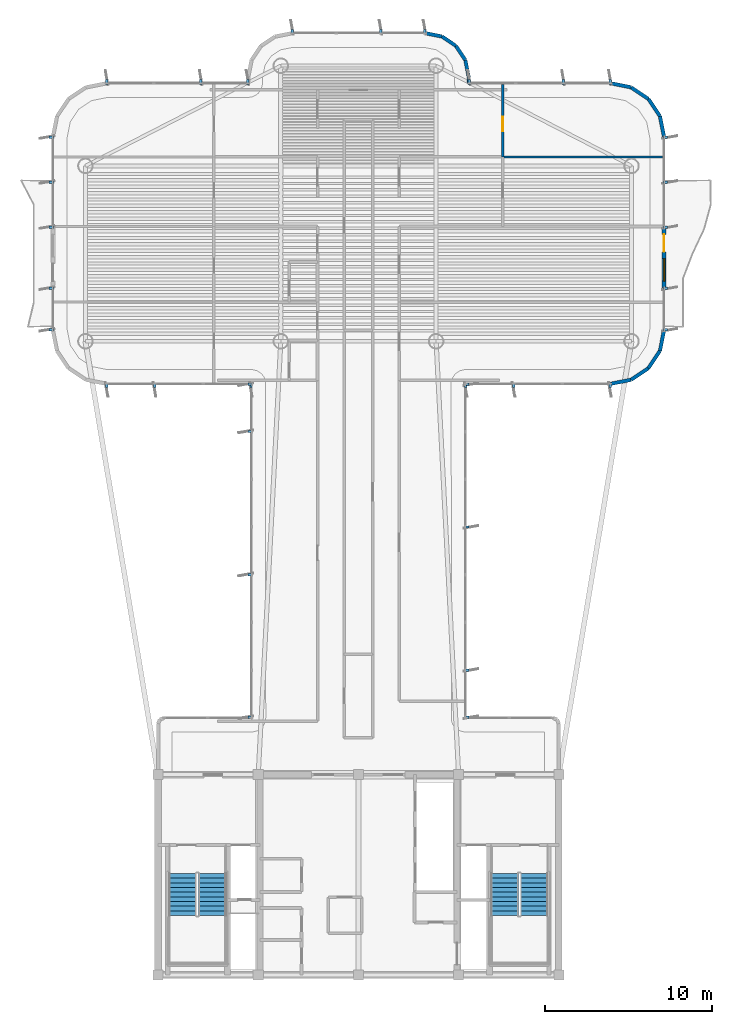
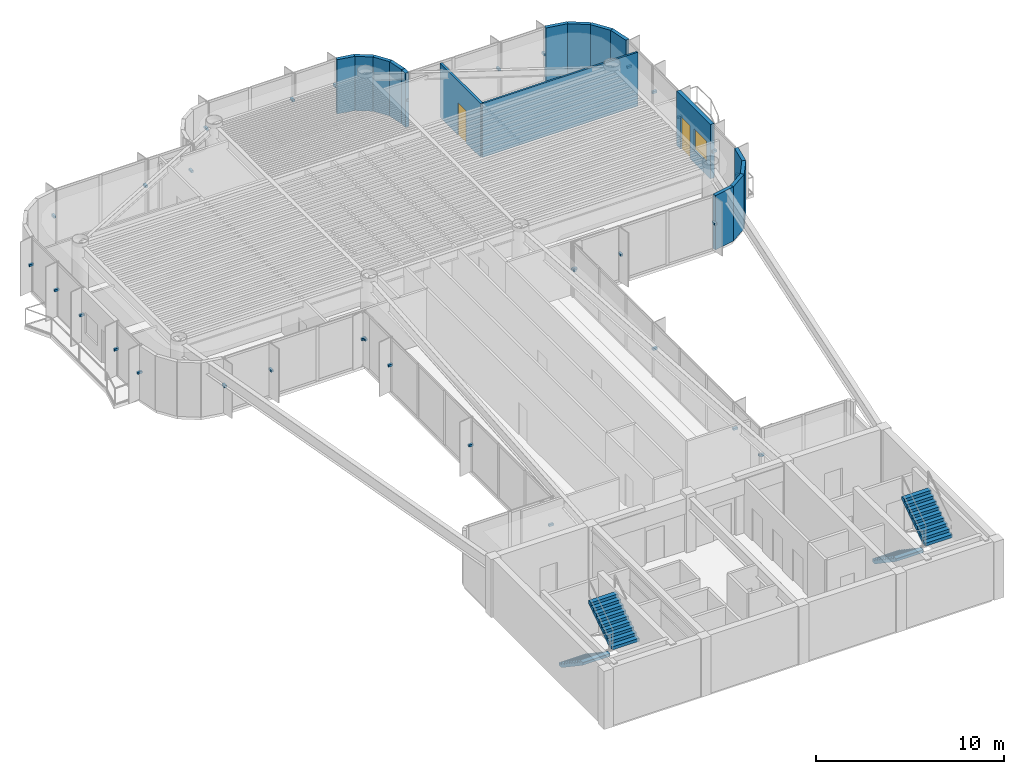
# One storey, part 13 of 15: 33 discrete accessories, 16 walls, 4 stair flights, 2 doors, 1 window, 3 openings, 2 elements without a shape of their own.
"""IFC4 building model written with IfcOpenShell, lengths in metres."""

from ifc_helpers import new_model, si_unit, direction, frame, frame_2d, origin, origin_2d, place, context, subcontext, project, spatial, polyline, rectangle, outline, extrude, source, transform, mapped, material, layer, layer_set, type_object, element, fill, aggregate, save


model = new_model("IFC4")

# Units and contexts
model_context = context("Model", 3, precision=1e-05, world=origin(), true_north=direction((0.0, 1.0)))
body_context = subcontext(model_context, "Body", "Model", "MODEL_VIEW")
ifc_project = project(units=[si_unit("LENGTHUNIT", "METRE"), si_unit("AREAUNIT", "SQUARE_METRE"), si_unit("VOLUMEUNIT", "CUBIC_METRE"), si_unit("PLANEANGLEUNIT", "RADIAN"), si_unit("MASSUNIT", "GRAM", prefix="KILO")], contexts=[model_context])

# Site, building, storey
site_placement = place(None, origin())
site = spatial("IfcSite", under=ifc_project, at=site_placement, CompositionType="ELEMENT")
building_placement = place(site_placement, origin())
building = spatial("IfcBuilding", under=site, at=building_placement, Name="Brelvock Crest Care Tower", CompositionType="ELEMENT")
storey_placement = place(building_placement, frame((0.0, 0.0, 268.3798828125)))
storey = spatial("IfcBuildingStorey", under=building, at=storey_placement, Name="L68", CompositionType="ELEMENT", Elevation=268.3798828125)

# Wall, openings, door, window
ifc_material_1 = material(Name="Precast concrete N40 (40 MPa)", Category="concrete")
ifc_layer_1 = layer(ifc_material_1, 0.239990234375, Name="WL-EX1")
ifc_layer_set_1 = layer_set([ifc_layer_1], Name="Precast concrete N40 (40 MPa)")
wall_type_1 = type_object("IfcWallType", Name="WL-EX1", PredefinedType="SOLIDWALL", material=ifc_layer_set_1)
wall_1_placement = place(storey_placement, frame((54.300048828125, 50.75, 0.0), z_axis=(0.0, 0.0, 1.0), x_axis=(0.0, -1.0, 0.0)))
wall_1 = element("IfcWall", 1, at=wall_1_placement, inside=storey, type_object=wall_type_1, Name="L68 Exterior Spandrel Wall WL-BAL-L68-E", PredefinedType="SOLIDWALL", context=body_context, shape_type="SweptSolid", body=[
    extrude(rectangle(XDim=3.60009765625, YDim=0.239990234375, at=frame_2d((1.800048828125, 0.0))), origin(), (0.0, 0.0, 1.0), 3.530029296875),
])
opening_1_placement = place(wall_1_placement, frame((0.39990234375, 0.0, 0.0)))
opening_1 = element("IfcOpeningElement", 2, at=opening_1_placement, cuts=wall_1, Name="Opening BD-1", PredefinedType="OPENING", context=body_context, shape_type="SweptSolid", body=[
    extrude(rectangle(XDim=1.050048828125, YDim=2.14990234375, at=origin_2d()), frame((0.52490234375, 0.1298828125, 1.074951171875), z_axis=(0.0, -1.0, 0.0), x_axis=(1.0, 0.0, 0.0)), (0.0, 0.0, 1.0), 0.260009765625),
])
opening_2_placement = place(wall_1_placement, frame((1.85009765625, 0.0, 0.85009765625)))
opening_2 = element("IfcOpeningElement", 3, at=opening_2_placement, cuts=wall_1, Name="Opening W-01", PredefinedType="OPENING", context=body_context, shape_type="SweptSolid", body=[
    extrude(rectangle(XDim=1.35009765625, YDim=1.35009765625, at=origin_2d()), frame((0.675048828125, 0.1298828125, 0.675048828125), z_axis=(0.0, -1.0, 0.0), x_axis=(1.0, 0.0, 0.0)), (0.0, 0.0, 1.0), 0.260009765625),
])
ifc_material_2 = material(Name="Dark Glass Double Glazed Low-E", Category="glass")
door_type_1 = type_object("IfcDoorType", Name="DR-BAL1", OperationType="NOTDEFINED", PredefinedType="DOOR", material=ifc_material_2)
shared_shape_1 = source(origin(), body_context, "Body", "SweptSolid", [
    extrude(rectangle(XDim=1.050048828125, YDim=2.14990234375, at=origin_2d()), frame((0.52490234375, 0.02490234375, 1.074951171875), z_axis=(0.0, -1.0, 0.0), x_axis=(1.0, 0.0, 0.0)), (0.0, 0.0, 1.0), 0.050048828125),
])
door_1_placement = place(opening_1_placement, origin())
door_1 = element("IfcDoor", 4, at=door_1_placement, inside=storey, type_object=door_type_1, Name="L68 E Wave Balcony Glazed Door", OperationType="SINGLE_SWING_RIGHT", OverallHeight=2.14990234375, OverallWidth=1.050048828125, PredefinedType="DOOR", context=body_context, shape_type="MappedRepresentation", body=[
    mapped(shared_shape_1, transform((0.0, 0.0, 0.0), x_axis=(1.0, 0.0, 0.0), y_axis=(0.0, 1.0, 0.0), z_axis=(0.0, 0.0, 1.0), scale=1.0)),
])
fill(opening_1, door_1)
window_type = type_object("IfcWindowType", Name="WN-EX1", PartitioningType="SINGLE_PANEL", PredefinedType="WINDOW", material=ifc_material_2)
shared_shape_2 = source(origin(), body_context, "Body", "SweptSolid", [
    extrude(rectangle(XDim=1.35009765625, YDim=1.35009765625, at=origin_2d()), frame((0.675048828125, 0.030029296875, 0.675048828125), z_axis=(0.0, -1.0, 0.0), x_axis=(1.0, 0.0, 0.0)), (0.0, 0.0, 1.0), 0.06005859375),
])
window_placement = place(opening_2_placement, origin())
window = element("IfcWindow", 5, at=window_placement, inside=storey, type_object=window_type, Name="L68 E Suite Casement Window", OverallHeight=1.35009765625, OverallWidth=1.35009765625, PartitioningType="SINGLE_PANEL", PredefinedType="WINDOW", context=body_context, shape_type="MappedRepresentation", body=[
    mapped(shared_shape_2, transform((0.0, 0.0, 0.0), x_axis=(1.0, 0.0, 0.0), y_axis=(0.0, 1.0, 0.0), z_axis=(0.0, 0.0, 1.0), scale=1.0)),
])
fill(opening_2, window)

# Walls
ifc_layer_2 = layer(ifc_material_1, 0.215087890625, Name="WL-EX2")
ifc_layer_set_2 = layer_set([ifc_layer_2], Name="Precast concrete N40 (40 MPa)")
wall_type_2 = type_object("IfcWallType", Name="WL-EX2", PredefinedType="SOLIDWALL", material=ifc_layer_set_2)
wall_2_placement = place(storey_placement, frame((40.0, 62.39990234375, 0.0), z_axis=(0.0, 0.0, 1.0), x_axis=(0.980820570666, -0.194912821943, 0.0)))
element("IfcWall", 6, at=wall_2_placement, inside=storey, type_object=wall_type_2, Name="L68 Rounded Corner Wall 29", PredefinedType="SOLIDWALL", context=body_context, shape_type="SweptSolid", body=[
    extrude(rectangle(XDim=1.0146484375, YDim=0.215087890625, at=frame_2d((0.50732421875, 0.0))), origin(), (0.0, 0.0, 1.0), 3.530029296875),
])
wall_3_placement = place(storey_placement, frame((40.9951171875, 62.2021484375, 0.0), z_axis=(0.0, 0.0, 1.0), x_axis=(0.831346067305, -0.555755086685, 0.0)))
element("IfcWall", 7, at=wall_3_placement, inside=storey, type_object=wall_type_2, Name="L68 Rounded Corner Wall 30", PredefinedType="SOLIDWALL", context=body_context, shape_type="SweptSolid", body=[
    extrude(rectangle(XDim=1.014404296875, YDim=0.215087890625, at=frame_2d((0.50732421875, 0.0))), origin(), (0.0, 0.0, 1.0), 3.530029296875),
])
wall_4_placement = place(storey_placement, frame((41.83837890625, 61.638427734375, 0.0), z_axis=(0.0, 0.0, 1.0), x_axis=(0.555643898837, -0.831420385657, 0.0)))
element("IfcWall", 8, at=wall_4_placement, inside=storey, type_object=wall_type_2, Name="L68 Rounded Corner Wall 31", PredefinedType="SOLIDWALL", context=body_context, shape_type="SweptSolid", body=[
    extrude(rectangle(XDim=1.0146484375, YDim=0.215087890625, at=frame_2d((0.50732421875, 0.0))), origin(), (0.0, 0.0, 1.0), 3.530029296875),
])
wall_5_placement = place(storey_placement, frame((42.402099609375, 60.794921875, 0.0), z_axis=(0.0, 0.0, 1.0), x_axis=(0.195190360752, -0.980765376158, 0.0)))
element("IfcWall", 9, at=wall_5_placement, inside=storey, type_object=wall_type_2, Name="L68 Rounded Corner Wall 32", PredefinedType="SOLIDWALL", context=body_context, shape_type="SweptSolid", body=[
    extrude(rectangle(XDim=1.014404296875, YDim=0.215087890625, at=frame_2d((0.50732421875, 0.0))), origin(), (0.0, 0.0, 1.0), 3.530029296875),
])
wall_6_placement = place(storey_placement, frame((42.60009765625, 59.800048828125, 0.0), z_axis=(0.0, 0.0, 1.0), x_axis=(0.0, -1.0, 0.0)))
element("IfcWall", 10, at=wall_6_placement, inside=storey, type_object=wall_type_2, Name="L68 Rounded Corner Wall 33", PredefinedType="SOLIDWALL", context=body_context, shape_type="SweptSolid", body=[
    extrude(rectangle(XDim=0.400146484375, YDim=0.215087890625, at=frame_2d((0.2001953125, 0.0))), origin(), (0.0, 0.0, 1.0), 3.530029296875),
])
for number, where, z_axis, x_axis, name in (
    (11, (51.10009765625, 59.39990234375, 0.0), (0.0, 0.0, 1.0), (0.980813122964, -0.194950295773, 0.0), "L68 Rounded Corner Wall 35"),
    (12, (52.32470703125, 59.156494140625, 0.0), (0.0, 0.0, 1.0), (0.831387912822, -0.555692485475, 0.0), "L68 Rounded Corner Wall 36"),
    (13, (53.36279296875, 58.462646484375, 0.0), (0.0, 0.0, 1.0), (0.555557312883, -0.831478245117, 0.0), "L68 Rounded Corner Wall 37"),
    (14, (54.056396484375, 57.424560546875, 0.0), (0.0, 0.0, 1.0), (0.195138390419, -0.980775717779, 0.0), "L68 Rounded Corner Wall 38"),
    (15, (54.300048828125, 44.60009765625, 0.0), (0.0, 0.0, 1.0), (-0.195138390419, -0.980775717779, 0.0), "L68 Rounded Corner Wall 40"),
    (16, (54.056396484375, 43.37548828125, 0.0), (0.0, 0.0, 1.0), (-0.555557312883, -0.831478245117, 0.0), "L68 Rounded Corner Wall 41"),
    (17, (53.36279296875, 42.33740234375, 0.0), (0.0, 0.0, 1.0), (-0.831387912822, -0.555692485475, 0.0), "L68 Rounded Corner Wall 42"),
    (18, (52.32470703125, 41.6435546875, 0.0), (0.0, 0.0, 1.0), (-0.980775717779, -0.195138390419, 0.0), "L68 Rounded Corner Wall 43"),
):
    element("IfcWall", number, at=place(storey_placement, frame(where, z_axis=z_axis, x_axis=x_axis)), inside=storey, type_object=wall_type_2, Name=name, PredefinedType="SOLIDWALL", context=body_context, shape_type="SweptSolid", body=[
        extrude(rectangle(XDim=1.24853515625, YDim=0.215087890625, at=frame_2d((0.624267578125, 0.0))), origin(), (0.0, 0.0, 1.0), 3.530029296875),
    ])

# Wall, opening, door
ifc_material_3 = material(Name="Masonry Blockwork Acoustic Partition", Category="masonry")
ifc_layer_3 = layer(ifc_material_3, 0.14990234375, Name="WL-INT1")
ifc_layer_set_3 = layer_set([ifc_layer_3], Name="Masonry Blockwork Acoustic Partition")
wall_type_3 = type_object("IfcWallType", Name="WL-INT1", PredefinedType="PARTITIONING", material=ifc_layer_set_3)
wall_7_placement = place(storey_placement, frame((44.64990234375, 54.998046875, 0.0), z_axis=(0.0, 0.0, 1.0), x_axis=(0.0, 1.0, 0.0)))
wall_7 = element("IfcWall", 19, at=wall_7_placement, inside=storey, type_object=wall_type_3, Name="L68 Interior Wall WL-RM-L68-ES4S", PredefinedType="PARTITIONING", context=body_context, shape_type="SweptSolid", body=[
    extrude(rectangle(XDim=4.324462890625, YDim=0.14990234375, at=frame_2d((2.162109375, 0.0))), origin(), (0.0, 0.0, 1.0), 3.5),
])
opening_3_placement = place(wall_7_placement, frame((1.5419921875, 0.0, 0.0)))
opening_3 = element("IfcOpeningElement", 20, at=opening_3_placement, cuts=wall_7, Name="Opening ID-1", PredefinedType="OPENING", context=body_context, shape_type="SweptSolid", body=[
    extrude(rectangle(XDim=0.860107421875, YDim=2.10009765625, at=origin_2d()), frame((0.43017578125, 0.0849609375, 1.050048828125), z_axis=(0.0, -1.0, 0.0), x_axis=(1.0, 0.0, 0.0)), (0.0, 0.0, 1.0), 0.169921875),
])
ifc_material_4 = material(Name="Engineered Hardwood Timber", Category="wood")
door_type_2 = type_object("IfcDoorType", Name="DR-INT1", OperationType="NOTDEFINED", PredefinedType="DOOR", material=ifc_material_4)
shared_shape_3 = source(origin(), body_context, "Body", "SweptSolid", [
    extrude(rectangle(XDim=0.860107421875, YDim=2.10009765625, at=origin_2d()), frame((0.43017578125, 0.02490234375, 1.050048828125), z_axis=(0.0, -1.0, 0.0), x_axis=(1.0, 0.0, 0.0)), (0.0, 0.0, 1.0), 0.050048828125),
])
door_2_placement = place(opening_3_placement, origin())
door_2 = element("IfcDoor", 21, at=door_2_placement, inside=storey, type_object=door_type_2, Name="L68 Skilled Nursing Mobility Store Door ES4S", OperationType="SINGLE_SWING_LEFT", OverallHeight=2.10009765625, OverallWidth=0.860107421875, PredefinedType="DOOR", context=body_context, shape_type="MappedRepresentation", body=[
    mapped(shared_shape_3, transform((0.0, 0.0, 0.0), x_axis=(1.0, 0.0, 0.0), y_axis=(0.0, 1.0, 0.0), z_axis=(0.0, 0.0, 1.0), scale=1.0)),
])
fill(opening_3, door_2)

# Wall
ifc_material_5 = material(Name="Gypsum Plasterboard Partition", Category="gypsum")
ifc_layer_4 = layer(ifc_material_5, 0.1201171875, Name="WL-INT2")
ifc_layer_set_4 = layer_set([ifc_layer_4], Name="Gypsum Plasterboard Partition")
wall_type_4 = type_object("IfcWallType", Name="WL-INT2", PredefinedType="PARTITIONING", material=ifc_layer_set_4)
wall_8_placement = place(storey_placement, frame((44.64990234375, 54.998046875, 0.0), z_axis=(0.0, 0.0, 1.0), x_axis=(1.0, 0.0, 0.0)))
element("IfcWall", 22, at=wall_8_placement, inside=storey, type_object=wall_type_4, Name="L68 Interior Wall WL-BX-L68-ES3S-N", PredefinedType="PARTITIONING", context=body_context, shape_type="SweptSolid", body=[
    extrude(rectangle(XDim=9.570068359375, YDim=0.1201171875, at=frame_2d((4.78515625, 0.0))), origin(), (0.0, 0.0, 1.0), 3.5),
])

# Stair, stair flights
ifc_material_6 = material(Name="Concrete N40 (40 MPa)", Category="concrete")
stair_type = type_object("IfcStairType", Name="ST-CORE1", PredefinedType="HALF_TURN_STAIR", material=ifc_material_6)
stair_1_placement = place(storey_placement, origin())
stair_1 = element("IfcStair", 23, at=stair_1_placement, inside=storey, type_object=stair_type, Name="L68 Fire-Isolated Core Stair ST-1", PredefinedType="HALF_TURN_STAIR")
stair_flight_type = type_object("IfcStairFlightType", Name="STF-1", PredefinedType="STRAIGHT", material=ifc_material_6)
stair_flight_1_placement = place(storey_placement, frame((25.469970703125, 12.080078125, 0.0), z_axis=(0.0, 0.0, 1.0), x_axis=(0.0, -1.0, 0.0)))
stair_flight_1 = element("IfcStairFlight", 24, at=stair_flight_1_placement, type_object=stair_flight_type, Name="ST-1 flight 1", NumberOfRisers=10, NumberOfTreads=9, PredefinedType="STRAIGHT", RiserHeight=0.189, TreadLength=0.28, context=body_context, shape_type="SweptSolid", body=[
    extrude(outline(polyline([(-0.00390625, -0.014892578125), (-0.00390625, -0.0078125), (-0.00390625, -0.00048828125), (-0.00390625, 0.0068359375), (-0.00390625, 0.01416015625), (-0.00390625, 0.021484375), (-0.00390625, 0.02880859375), (-0.00390625, 0.035888671875), (-0.00390625, 0.043212890625), (-0.00390625, 0.050537109375), (-0.00390625, 0.057861328125), (-0.00390625, 0.065185546875), (-0.00390625, 0.072509765625), (-0.00390625, 0.07958984375), (-0.00390625, 0.0869140625), (-0.00390625, 0.09423828125), (-0.00390625, 0.1015625), (-0.00390625, 0.10888671875), (-0.00390625, 0.1162109375), (-0.00390625, 0.12353515625), (-0.00390625, 0.130615234375), (-0.00390625, 0.137939453125), (-0.00390625, 0.145263671875), (-0.00390625, 0.152587890625), (-0.00390625, 0.159912109375), (-0.00390625, 0.167236328125), (-0.00390625, 0.17431640625), (-0.00390625, 0.181640625), (-0.00390625, 0.18896484375), (0.0, 0.18896484375), (0.280029296875, 0.18896484375), (0.280029296875, 0.3779296875), (0.56005859375, 0.3779296875), (0.56005859375, 0.56689453125), (0.840087890625, 0.56689453125), (0.840087890625, 0.756103515625), (1.1201171875, 0.756103515625), (1.1201171875, 0.945068359375), (1.39990234375, 0.945068359375), (1.39990234375, 1.134033203125), (1.679931640625, 1.134033203125), (1.679931640625, 1.322998046875), (1.9599609375, 1.322998046875), (1.9599609375, 1.511962890625), (2.239990234375, 1.511962890625), (2.239990234375, 1.700927734375), (2.52001953125, 1.700927734375), (2.52392578125, 1.700927734375), (2.523681640625, 1.70068359375), (2.52392578125, 1.700439453125), (2.523681640625, 1.699951171875), (2.52392578125, 1.69970703125), (2.523681640625, 1.699462890625), (2.52392578125, 1.698974609375), (2.523681640625, 1.69873046875), (2.52392578125, 1.698486328125), (2.523681640625, 1.697998046875), (2.52392578125, 1.69775390625), (2.523681640625, 1.697509765625), (2.52392578125, 1.697021484375), (2.523681640625, 1.69677734375), (2.52392578125, 1.696533203125), (2.523681640625, 1.6962890625), (2.52392578125, 1.69580078125), (2.523681640625, 1.695556640625), (2.52392578125, 1.6953125), (2.523681640625, 1.69482421875), (2.52392578125, 1.694580078125), (2.523681640625, 1.6943359375), (2.52392578125, 1.69384765625), (2.523681640625, 1.693603515625), (2.52392578125, 1.693359375), (2.523681640625, 1.69287109375), (2.52392578125, 1.692626953125), (2.523681640625, 1.6923828125), (2.52392578125, 1.69189453125), (2.52001953125, 1.520263671875), (0.267822265625, 0.0), (0.0, 0.0), (0.0, -0.014892578125), (-0.00390625, -0.014892578125)])), frame((0.0, 0.83984375, 0.0), z_axis=(0.0, -1.0, 0.0), x_axis=(1.0, 0.0, 0.0)), (0.0, 0.0, 1.0), 1.679931640625),
])
stair_flight_2_placement = place(storey_placement, frame((27.27001953125, 9.56005859375, 1.89013671875), z_axis=(0.0, 0.0, 1.0), x_axis=(0.0, 1.0, 0.0)))
stair_flight_2 = element("IfcStairFlight", 25, at=stair_flight_2_placement, type_object=stair_flight_type, Name="ST-1 flight 2", NumberOfRisers=10, NumberOfTreads=9, PredefinedType="STRAIGHT", RiserHeight=0.189, TreadLength=0.28, context=body_context, shape_type="SweptSolid", body=[
    extrude(outline(polyline([(-0.00390625, -0.014892578125), (-0.00390625, -0.0078125), (-0.00390625, -0.00048828125), (-0.00390625, 0.0068359375), (-0.00390625, 0.01416015625), (-0.00390625, 0.021484375), (-0.00390625, 0.02880859375), (-0.00390625, 0.035888671875), (-0.00390625, 0.043212890625), (-0.00390625, 0.050537109375), (-0.00390625, 0.057861328125), (-0.00390625, 0.065185546875), (-0.00390625, 0.072509765625), (-0.00390625, 0.07958984375), (-0.00390625, 0.0869140625), (-0.00390625, 0.09423828125), (-0.00390625, 0.1015625), (-0.00390625, 0.10888671875), (-0.00390625, 0.1162109375), (-0.00390625, 0.12353515625), (-0.00390625, 0.130615234375), (-0.00390625, 0.137939453125), (-0.00390625, 0.145263671875), (-0.00390625, 0.152587890625), (-0.00390625, 0.159912109375), (-0.00390625, 0.167236328125), (-0.00390625, 0.17431640625), (-0.00390625, 0.181640625), (-0.00390625, 0.18896484375), (0.0, 0.18896484375), (0.280029296875, 0.18896484375), (0.280029296875, 0.3779296875), (0.56005859375, 0.3779296875), (0.56005859375, 0.56689453125), (0.840087890625, 0.56689453125), (0.840087890625, 0.756103515625), (1.1201171875, 0.756103515625), (1.1201171875, 0.945068359375), (1.39990234375, 0.945068359375), (1.39990234375, 1.134033203125), (1.679931640625, 1.134033203125), (1.679931640625, 1.322998046875), (1.9599609375, 1.322998046875), (1.9599609375, 1.511962890625), (2.239990234375, 1.511962890625), (2.239990234375, 1.700927734375), (2.52001953125, 1.700927734375), (2.52392578125, 1.700927734375), (2.523681640625, 1.70068359375), (2.52392578125, 1.700439453125), (2.523681640625, 1.699951171875), (2.52392578125, 1.69970703125), (2.523681640625, 1.699462890625), (2.52392578125, 1.698974609375), (2.523681640625, 1.69873046875), (2.52392578125, 1.698486328125), (2.523681640625, 1.697998046875), (2.52392578125, 1.69775390625), (2.523681640625, 1.697509765625), (2.52392578125, 1.697021484375), (2.523681640625, 1.69677734375), (2.52392578125, 1.696533203125), (2.523681640625, 1.6962890625), (2.52392578125, 1.69580078125), (2.523681640625, 1.695556640625), (2.52392578125, 1.6953125), (2.523681640625, 1.69482421875), (2.52392578125, 1.694580078125), (2.523681640625, 1.6943359375), (2.52392578125, 1.69384765625), (2.523681640625, 1.693603515625), (2.52392578125, 1.693359375), (2.523681640625, 1.69287109375), (2.52392578125, 1.692626953125), (2.523681640625, 1.6923828125), (2.52392578125, 1.69189453125), (2.52001953125, 1.520263671875), (0.267822265625, 0.0), (0.0, 0.0), (0.0, -0.014892578125), (-0.00390625, -0.014892578125)])), frame((0.0, 0.83984375, 0.0), z_axis=(0.0, -1.0, 0.0), x_axis=(1.0, 0.0, 0.0)), (0.0, 0.0, 1.0), 1.679931640625),
])
aggregate(stair_1, [stair_flight_1, stair_flight_2])

stair_2_placement = place(storey_placement, origin())
stair_2 = element("IfcStair", 26, at=stair_2_placement, inside=storey, type_object=stair_type, Name="L68 Fire-Isolated Core Stair ST-2", PredefinedType="HALF_TURN_STAIR")
stair_flight_3_placement = place(storey_placement, frame((44.72998046875, 12.080078125, 0.0), z_axis=(0.0, 0.0, 1.0), x_axis=(0.0, -1.0, 0.0)))
stair_flight_3 = element("IfcStairFlight", 27, at=stair_flight_3_placement, type_object=stair_flight_type, Name="ST-2 flight 1", NumberOfRisers=10, NumberOfTreads=9, PredefinedType="STRAIGHT", RiserHeight=0.189, TreadLength=0.28, context=body_context, shape_type="SweptSolid", body=[
    extrude(outline(polyline([(-0.00390625, -0.014892578125), (-0.00390625, -0.0078125), (-0.00390625, -0.00048828125), (-0.00390625, 0.0068359375), (-0.00390625, 0.01416015625), (-0.00390625, 0.021484375), (-0.00390625, 0.02880859375), (-0.00390625, 0.035888671875), (-0.00390625, 0.043212890625), (-0.00390625, 0.050537109375), (-0.00390625, 0.057861328125), (-0.00390625, 0.065185546875), (-0.00390625, 0.072509765625), (-0.00390625, 0.07958984375), (-0.00390625, 0.0869140625), (-0.00390625, 0.09423828125), (-0.00390625, 0.1015625), (-0.00390625, 0.10888671875), (-0.00390625, 0.1162109375), (-0.00390625, 0.12353515625), (-0.00390625, 0.130615234375), (-0.00390625, 0.137939453125), (-0.00390625, 0.145263671875), (-0.00390625, 0.152587890625), (-0.00390625, 0.159912109375), (-0.00390625, 0.167236328125), (-0.00390625, 0.17431640625), (-0.00390625, 0.181640625), (-0.00390625, 0.18896484375), (0.0, 0.18896484375), (0.280029296875, 0.18896484375), (0.280029296875, 0.3779296875), (0.56005859375, 0.3779296875), (0.56005859375, 0.56689453125), (0.840087890625, 0.56689453125), (0.840087890625, 0.756103515625), (1.1201171875, 0.756103515625), (1.1201171875, 0.945068359375), (1.39990234375, 0.945068359375), (1.39990234375, 1.134033203125), (1.679931640625, 1.134033203125), (1.679931640625, 1.322998046875), (1.9599609375, 1.322998046875), (1.9599609375, 1.511962890625), (2.239990234375, 1.511962890625), (2.239990234375, 1.700927734375), (2.52001953125, 1.700927734375), (2.52392578125, 1.700927734375), (2.523681640625, 1.70068359375), (2.52392578125, 1.700439453125), (2.523681640625, 1.699951171875), (2.52392578125, 1.69970703125), (2.523681640625, 1.699462890625), (2.52392578125, 1.698974609375), (2.523681640625, 1.69873046875), (2.52392578125, 1.698486328125), (2.523681640625, 1.697998046875), (2.52392578125, 1.69775390625), (2.523681640625, 1.697509765625), (2.52392578125, 1.697021484375), (2.523681640625, 1.69677734375), (2.52392578125, 1.696533203125), (2.523681640625, 1.6962890625), (2.52392578125, 1.69580078125), (2.523681640625, 1.695556640625), (2.52392578125, 1.6953125), (2.523681640625, 1.69482421875), (2.52392578125, 1.694580078125), (2.523681640625, 1.6943359375), (2.52392578125, 1.69384765625), (2.523681640625, 1.693603515625), (2.52392578125, 1.693359375), (2.523681640625, 1.69287109375), (2.52392578125, 1.692626953125), (2.523681640625, 1.6923828125), (2.52392578125, 1.69189453125), (2.52001953125, 1.520263671875), (0.267822265625, 0.0), (0.0, 0.0), (0.0, -0.014892578125), (-0.00390625, -0.014892578125)])), frame((0.0, 0.83984375, 0.0), z_axis=(0.0, -1.0, 0.0), x_axis=(1.0, 0.0, 0.0)), (0.0, 0.0, 1.0), 1.679931640625),
])
stair_flight_4_placement = place(storey_placement, frame((46.530029296875, 9.56005859375, 1.89013671875), z_axis=(0.0, 0.0, 1.0), x_axis=(0.0, 1.0, 0.0)))
stair_flight_4 = element("IfcStairFlight", 28, at=stair_flight_4_placement, type_object=stair_flight_type, Name="ST-2 flight 2", NumberOfRisers=10, NumberOfTreads=9, PredefinedType="STRAIGHT", RiserHeight=0.189, TreadLength=0.28, context=body_context, shape_type="SweptSolid", body=[
    extrude(outline(polyline([(-0.00390625, -0.014892578125), (-0.00390625, -0.0078125), (-0.00390625, -0.00048828125), (-0.00390625, 0.0068359375), (-0.00390625, 0.01416015625), (-0.00390625, 0.021484375), (-0.00390625, 0.02880859375), (-0.00390625, 0.035888671875), (-0.00390625, 0.043212890625), (-0.00390625, 0.050537109375), (-0.00390625, 0.057861328125), (-0.00390625, 0.065185546875), (-0.00390625, 0.072509765625), (-0.00390625, 0.07958984375), (-0.00390625, 0.0869140625), (-0.00390625, 0.09423828125), (-0.00390625, 0.1015625), (-0.00390625, 0.10888671875), (-0.00390625, 0.1162109375), (-0.00390625, 0.12353515625), (-0.00390625, 0.130615234375), (-0.00390625, 0.137939453125), (-0.00390625, 0.145263671875), (-0.00390625, 0.152587890625), (-0.00390625, 0.159912109375), (-0.00390625, 0.167236328125), (-0.00390625, 0.17431640625), (-0.00390625, 0.181640625), (-0.00390625, 0.18896484375), (0.0, 0.18896484375), (0.280029296875, 0.18896484375), (0.280029296875, 0.3779296875), (0.56005859375, 0.3779296875), (0.56005859375, 0.56689453125), (0.840087890625, 0.56689453125), (0.840087890625, 0.756103515625), (1.1201171875, 0.756103515625), (1.1201171875, 0.945068359375), (1.39990234375, 0.945068359375), (1.39990234375, 1.134033203125), (1.679931640625, 1.134033203125), (1.679931640625, 1.322998046875), (1.9599609375, 1.322998046875), (1.9599609375, 1.511962890625), (2.239990234375, 1.511962890625), (2.239990234375, 1.700927734375), (2.52001953125, 1.700927734375), (2.52392578125, 1.700927734375), (2.523681640625, 1.70068359375), (2.52392578125, 1.700439453125), (2.523681640625, 1.699951171875), (2.52392578125, 1.69970703125), (2.523681640625, 1.699462890625), (2.52392578125, 1.698974609375), (2.523681640625, 1.69873046875), (2.52392578125, 1.698486328125), (2.523681640625, 1.697998046875), (2.52392578125, 1.69775390625), (2.523681640625, 1.697509765625), (2.52392578125, 1.697021484375), (2.523681640625, 1.69677734375), (2.52392578125, 1.696533203125), (2.523681640625, 1.6962890625), (2.52392578125, 1.69580078125), (2.523681640625, 1.695556640625), (2.52392578125, 1.6953125), (2.523681640625, 1.69482421875), (2.52392578125, 1.694580078125), (2.523681640625, 1.6943359375), (2.52392578125, 1.69384765625), (2.523681640625, 1.693603515625), (2.52392578125, 1.693359375), (2.523681640625, 1.69287109375), (2.52392578125, 1.692626953125), (2.523681640625, 1.6923828125), (2.52392578125, 1.69189453125), (2.52001953125, 1.520263671875), (0.267822265625, 0.0), (0.0, 0.0), (0.0, -0.014892578125), (-0.00390625, -0.014892578125)])), frame((0.0, 0.83984375, 0.0), z_axis=(0.0, -1.0, 0.0), x_axis=(1.0, 0.0, 0.0)), (0.0, 0.0, 1.0), 1.679931640625),
])
aggregate(stair_2, [stair_flight_3, stair_flight_4])

# Discrete accessories
ifc_material_7 = material(Name="Steel Grade 350", Category="steel")
discrete_accessory_type = type_object("IfcDiscreteAccessoryType", Name="ACC-BRK1", PredefinedType="BRACKET", material=ifc_material_7)
shared_shape_4 = source(origin(), body_context, "Body", "SweptSolid", [
    extrude(rectangle(XDim=0.280029296875, YDim=0.139892578125, at=origin_2d()), origin(), (0.0, 0.0, 1.0), 0.139892578125),
])
for number, where, z_axis, x_axis, name in (
    (29, (29.52001953125, 21.429931640625, 1.6953125), (0.0, 0.0, 1.0), (-1.0, 0.0, 0.0), "L68 Facade Fin Bracket E11-01"),
    (30, (29.52001953125, 29.971435546875, 1.6953125), (0.0, 0.0, 1.0), (-1.0, 0.0, 0.0), "L68 Facade Fin Bracket E11-04"),
    (31, (29.52001953125, 38.54296875, 1.6953125), (0.0, 0.0, 1.0), (-1.0, 0.0, 0.0), "L68 Facade Fin Bracket E11-07"),
    (32, (29.52001953125, 41.3701171875, 1.6953125), (0.0, 0.0, 1.0), (-1.0, 0.0, 0.0), "L68 Facade Fin Bracket E11-08"),
    (33, (29.570068359375, 41.320068359375, 1.6953125), (0.0, 0.0, 1.0), (0.0, -1.0, 0.0), "L68 Facade Fin Bracket E12-01"),
    (34, (23.800048828125, 41.320068359375, 1.6953125), (0.0, 0.0, 1.0), (0.0, -1.0, 0.0), "L68 Facade Fin Bracket E12-03"),
    (35, (20.929931640625, 41.320068359375, 1.6953125), (0.0, 0.0, 1.0), (0.0, -1.0, 0.0), "L68 Facade Fin Bracket E12-04"),
    (36, (17.6201171875, 44.6298828125, 1.6953125), (0.0, 0.0, 1.0), (-1.0, 0.0, 0.0), "L68 Facade Fin Bracket E17A-01"),
    (37, (17.6201171875, 47.1201171875, 1.6953125), (0.0, 0.0, 1.0), (-1.0, 0.0, 0.0), "L68 Facade Fin Bracket E17A-02"),
    (38, (17.6201171875, 50.780029296875, 1.6953125), (0.0, 0.0, 1.0), (-1.0, 0.0, 0.0), "L68 Facade Fin Bracket E17B-01"),
    (39, (17.6201171875, 53.47509765625, 1.6953125), (0.0, 0.0, 1.0), (-1.0, 0.0, 0.0), "L68 Facade Fin Bracket E17B-02"),
    (40, (17.6201171875, 56.169921875, 1.6953125), (0.0, 0.0, 1.0), (-1.0, 0.0, 0.0), "L68 Facade Fin Bracket E17B-03"),
    (41, (20.929931640625, 59.47998046875, 1.6953125), (0.0, 0.0, 1.0), (0.0, 1.0, 0.0), "L68 Facade Fin Bracket E22-01"),
    (42, (26.566650390625, 59.47998046875, 1.6953125), (0.0, 0.0, 1.0), (0.0, 1.0, 0.0), "L68 Facade Fin Bracket E22-03"),
    (43, (29.3701171875, 59.47998046875, 1.6953125), (0.0, 0.0, 1.0), (0.0, 1.0, 0.0), "L68 Facade Fin Bracket E22-04"),
    (44, (32.030029296875, 62.47998046875, 1.6953125), (0.0, 0.0, 1.0), (0.0, 1.0, 0.0), "L68 Facade Fin Bracket E28-01"),
    (45, (37.333251953125, 62.47998046875, 1.6953125), (0.0, 0.0, 1.0), (0.0, 1.0, 0.0), "L68 Facade Fin Bracket E28-03"),
    (46, (39.969970703125, 62.47998046875, 1.6953125), (0.0, 0.0, 1.0), (0.0, 1.0, 0.0), "L68 Facade Fin Bracket E28-04"),
    (47, (42.6298828125, 59.47998046875, 1.6953125), (0.0, 0.0, 1.0), (0.0, 1.0, 0.0), "L68 Facade Fin Bracket E34-01"),
    (48, (48.2666015625, 59.47998046875, 1.6953125), (0.0, 0.0, 1.0), (0.0, 1.0, 0.0), "L68 Facade Fin Bracket E34-03"),
    (49, (51.070068359375, 59.47998046875, 1.6953125), (0.0, 0.0, 1.0), (0.0, 1.0, 0.0), "L68 Facade Fin Bracket E34-04"),
    (50, (54.3798828125, 56.169921875, 1.6953125), (0.0, 0.0, 1.0), (1.0, 0.0, 0.0), "L68 Facade Fin Bracket E39A-01"),
    (51, (54.3798828125, 53.47509765625, 1.6953125), (0.0, 0.0, 1.0), (1.0, 0.0, 0.0), "L68 Facade Fin Bracket E39A-02"),
    (52, (54.3798828125, 50.780029296875, 1.6953125), (0.0, 0.0, 1.0), (1.0, 0.0, 0.0), "L68 Facade Fin Bracket E39A-03"),
    (53, (54.3798828125, 47.1201171875, 1.6953125), (0.0, 0.0, 1.0), (1.0, 0.0, 0.0), "L68 Facade Fin Bracket E39B-01"),
    (54, (54.3798828125, 44.6298828125, 1.6953125), (0.0, 0.0, 1.0), (1.0, 0.0, 0.0), "L68 Facade Fin Bracket E39B-02"),
    (55, (51.070068359375, 41.320068359375, 1.6953125), (0.0, 0.0, 1.0), (0.0, -1.0, 0.0), "L68 Facade Fin Bracket E44-01"),
    (56, (45.300048828125, 41.320068359375, 1.6953125), (0.0, 0.0, 1.0), (0.0, -1.0, 0.0), "L68 Facade Fin Bracket E44-03"),
    (57, (42.429931640625, 41.320068359375, 1.6953125), (0.0, 0.0, 1.0), (0.0, -1.0, 0.0), "L68 Facade Fin Bracket E44-04"),
    (58, (42.47998046875, 41.3701171875, 1.6953125), (0.0, 0.0, 1.0), (1.0, 0.0, 0.0), "L68 Facade Fin Bracket E45-01"),
    (59, (42.47998046875, 32.82861328125, 1.6953125), (0.0, 0.0, 1.0), (1.0, 0.0, 0.0), "L68 Facade Fin Bracket E45-04"),
    (60, (42.47998046875, 24.257080078125, 1.6953125), (0.0, 0.0, 1.0), (1.0, 0.0, 0.0), "L68 Facade Fin Bracket E45-07"),
    (61, (42.47998046875, 21.429931640625, 1.6953125), (0.0, 0.0, 1.0), (1.0, 0.0, 0.0), "L68 Facade Fin Bracket E45-08"),
):
    element("IfcDiscreteAccessory", number, at=place(storey_placement, frame(where, z_axis=z_axis, x_axis=x_axis)), inside=storey, type_object=discrete_accessory_type, Name=name, PredefinedType="BRACKET", context=body_context, shape_type="MappedRepresentation", body=[
        mapped(shared_shape_4, transform((0.0, 0.0, 0.0), x_axis=(1.0, 0.0, 0.0), y_axis=(0.0, 1.0, 0.0), z_axis=(0.0, 0.0, 1.0), scale=1.0)),
    ])

save(model, "model.ifc")
